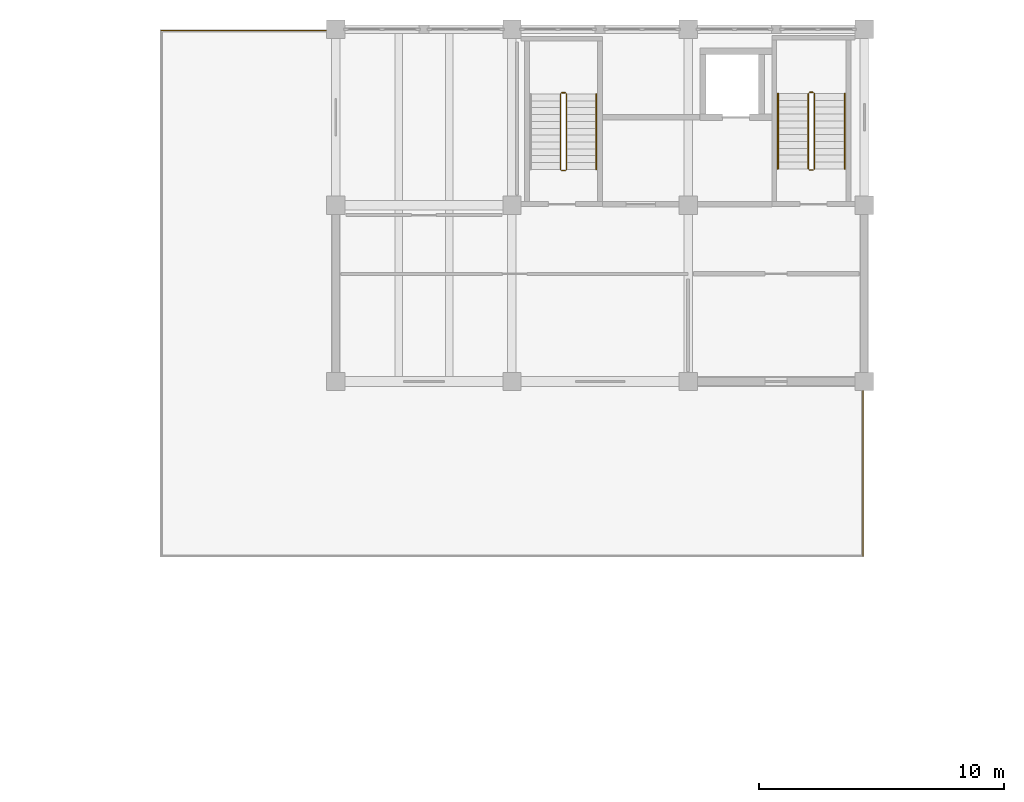
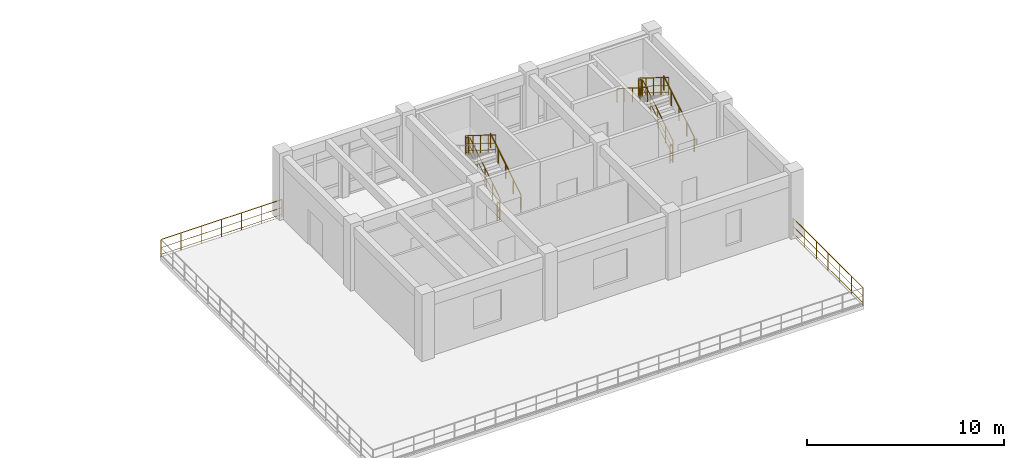
# One storey, part 134 of 136: 13 railings.
"""IFC4 building model written with IfcOpenShell, lengths in metres."""

from ifc_helpers import new_model, si_unit, direction, frame, origin, origin_2d, place, context, subcontext, project, spatial, circle, extrude, material, layer, layer_set, type_object, element, save


model = new_model("IFC4")

# Units and contexts
model_context = context("Model", 3, precision=1e-05, world=origin(), true_north=direction((0.0, 1.0)))
body_context = subcontext(model_context, "Body", "Model", "MODEL_VIEW")
ifc_project = project(units=[si_unit("LENGTHUNIT", "METRE"), si_unit("AREAUNIT", "SQUARE_METRE"), si_unit("VOLUMEUNIT", "CUBIC_METRE"), si_unit("PLANEANGLEUNIT", "RADIAN"), si_unit("MASSUNIT", "GRAM", prefix="KILO")], contexts=[model_context])

# Site, building, storey
site_placement = place(None, origin())
site = spatial("IfcSite", under=ifc_project, at=site_placement, CompositionType="ELEMENT")
building_placement = place(site_placement, origin())
building = spatial("IfcBuilding", under=site, at=building_placement, Name="Koriwan Promenade Central Fire Station", CompositionType="ELEMENT")
storey_placement = place(building_placement, frame((0.0, 0.0, 5.39990234375)))
storey = spatial("IfcBuildingStorey", under=building, at=storey_placement, Name="L01", CompositionType="ELEMENT", Elevation=5.39990234375)

# Railings
ifc_material_1 = material(Name="Steel ASTM A500 Grade C", Category="steel")
ifc_layer_1 = layer(ifc_material_1, 0.050048828125, Name="Steel ASTM A500 Grade C")
ifc_layer_set_1 = layer_set([ifc_layer_1], Name="Steel ASTM A500 Grade C")
railing_type_1 = type_object("IfcRailingType", Name="StairGuard_1100", PredefinedType="BALUSTRADE", material=ifc_layer_set_1)
railing_1_placement = place(storey_placement, frame((98.760009765625, 109.489990234375, 0.175048828125)))
element("IfcRailing", 1, at=railing_1_placement, inside=storey, type_object=railing_type_1, Name="L01 ST04 stair guard 1", PredefinedType="BALUSTRADE", context=body_context, shape_type="SweptSolid", body=[
    extrude(circle(Radius=0.02392578125, at=origin_2d()), frame((0.0, 0.0, 1.076171875), z_axis=(0.0, 0.847998304005, 0.529998940003), x_axis=(-1.0, 0.0, 0.0)), (0.0, 0.0, 1.0), 3.632080078125),
    extrude(circle(Radius=0.012939453125, at=origin_2d()), frame((0.0, 0.0, 0.572021484375), z_axis=(0.0, 0.847998304005, 0.529998940003), x_axis=(-1.0, 0.0, 0.0)), (0.0, 0.0, 1.0), 3.632080078125),
    extrude(circle(Radius=0.012939453125, at=origin_2d()), frame((0.0, 0.0, 0.154052734375), z_axis=(0.0, 0.847998304005, 0.529998940003), x_axis=(-1.0, 0.0, 0.0)), (0.0, 0.0, 1.0), 3.632080078125),
    extrude(circle(Radius=0.02099609375, at=origin_2d()), origin(), (0.0, 0.0, 1.0), 1.052001953125),
    extrude(circle(Radius=0.02099609375, at=origin_2d()), frame((0.0, 0.77001953125, 0.481201171875)), (0.0, 0.0, 1.0), 1.052001953125),
    extrude(circle(Radius=0.02099609375, at=origin_2d()), frame((0.0, 1.5400390625, 0.96240234375)), (0.0, 0.0, 1.0), 1.052001953125),
    extrude(circle(Radius=0.02099609375, at=origin_2d()), frame((0.0, 2.31005859375, 1.44384765625)), (0.0, 0.0, 1.0), 1.052001953125),
    extrude(circle(Radius=0.02099609375, at=origin_2d()), frame((0.0, 3.080078125, 1.925048828125)), (0.0, 0.0, 1.0), 1.052001953125),
])
railing_2_placement = place(storey_placement, frame((98.7099609375, 112.6201171875, 2.10009765625)))
element("IfcRailing", 2, at=railing_2_placement, inside=storey, type_object=railing_type_1, Name="L01 ST04 stair guard 2", PredefinedType="BALUSTRADE", context=body_context, shape_type="SweptSolid", body=[
    extrude(circle(Radius=0.02392578125, at=origin_2d()), frame((0.0, 0.0, 1.076171875), z_axis=(-1.0, 0.0, 0.0), x_axis=(0.0, -1.0, 0.0)), (0.0, 0.0, 1.0), 0.14990234375),
    extrude(circle(Radius=0.012939453125, at=origin_2d()), frame((0.0, 0.0, 0.572021484375), z_axis=(-1.0, 0.0, 0.0), x_axis=(0.0, -1.0, 0.0)), (0.0, 0.0, 1.0), 0.14990234375),
    extrude(circle(Radius=0.012939453125, at=origin_2d()), frame((0.0, 0.0, 0.154052734375), z_axis=(-1.0, 0.0, 0.0), x_axis=(0.0, -1.0, 0.0)), (0.0, 0.0, 1.0), 0.14990234375),
    extrude(circle(Radius=0.02099609375, at=origin_2d()), origin(), (0.0, 0.0, 1.0), 1.052001953125),
    extrude(circle(Radius=0.02099609375, at=origin_2d()), frame((-0.14990234375, 0.0, 0.0)), (0.0, 0.0, 1.0), 1.052001953125),
])
railing_3_placement = place(storey_placement, frame((98.510009765625, 112.570068359375, 2.275146484375)))
element("IfcRailing", 3, at=railing_3_placement, inside=storey, type_object=railing_type_1, Name="L01 ST04 stair guard 3", PredefinedType="BALUSTRADE", context=body_context, shape_type="SweptSolid", body=[
    extrude(circle(Radius=0.02392578125, at=origin_2d()), frame((0.0, 0.0, 1.076171875), z_axis=(0.0, -0.847998304005, 0.529998940003), x_axis=(1.0, 0.0, 0.0)), (0.0, 0.0, 1.0), 3.632080078125),
    extrude(circle(Radius=0.012939453125, at=origin_2d()), frame((0.0, 0.0, 0.572021484375), z_axis=(0.0, -0.847998304005, 0.529998940003), x_axis=(1.0, 0.0, 0.0)), (0.0, 0.0, 1.0), 3.632080078125),
    extrude(circle(Radius=0.012939453125, at=origin_2d()), frame((0.0, 0.0, 0.154052734375), z_axis=(0.0, -0.847998304005, 0.529998940003), x_axis=(1.0, 0.0, 0.0)), (0.0, 0.0, 1.0), 3.632080078125),
    extrude(circle(Radius=0.02099609375, at=origin_2d()), origin(), (0.0, 0.0, 1.0), 1.052001953125),
    extrude(circle(Radius=0.02099609375, at=origin_2d()), frame((0.0, -0.77001953125, 0.481201171875)), (0.0, 0.0, 1.0), 1.052001953125),
    extrude(circle(Radius=0.02099609375, at=origin_2d()), frame((0.0, -1.5400390625, 0.96240234375)), (0.0, 0.0, 1.0), 1.052001953125),
    extrude(circle(Radius=0.02099609375, at=origin_2d()), frame((0.0, -2.31005859375, 1.44384765625)), (0.0, 0.0, 1.0), 1.052001953125),
    extrude(circle(Radius=0.02099609375, at=origin_2d()), frame((0.0, -3.080078125, 1.925048828125)), (0.0, 0.0, 1.0), 1.052001953125),
])
railing_4_placement = place(storey_placement, frame((98.7099609375, 109.43994140625, 0.0)))
element("IfcRailing", 4, at=railing_4_placement, inside=storey, type_object=railing_type_1, Name="L01 ST04 stair guard 4", PredefinedType="BALUSTRADE", context=body_context, shape_type="SweptSolid", body=[
    extrude(circle(Radius=0.02392578125, at=origin_2d()), frame((0.0, 0.0, 1.076171875), z_axis=(-1.0, 0.0, 0.0), x_axis=(0.0, -1.0, 0.0)), (0.0, 0.0, 1.0), 0.14990234375),
    extrude(circle(Radius=0.012939453125, at=origin_2d()), frame((0.0, 0.0, 0.572021484375), z_axis=(-1.0, 0.0, 0.0), x_axis=(0.0, -1.0, 0.0)), (0.0, 0.0, 1.0), 0.14990234375),
    extrude(circle(Radius=0.012939453125, at=origin_2d()), frame((0.0, 0.0, 0.154052734375), z_axis=(-1.0, 0.0, 0.0), x_axis=(0.0, -1.0, 0.0)), (0.0, 0.0, 1.0), 0.14990234375),
    extrude(circle(Radius=0.02099609375, at=origin_2d()), origin(), (0.0, 0.0, 1.0), 1.052001953125),
    extrude(circle(Radius=0.02099609375, at=origin_2d()), frame((-0.14990234375, 0.0, 0.0)), (0.0, 0.0, 1.0), 1.052001953125),
])
railing_5_placement = place(storey_placement, frame((88.6298828125, 109.469970703125, 0.175048828125)))
element("IfcRailing", 5, at=railing_5_placement, inside=storey, type_object=railing_type_1, Name="L01 ST09 stair guard 1", PredefinedType="BALUSTRADE", context=body_context, shape_type="SweptSolid", body=[
    extrude(circle(Radius=0.02392578125, at=origin_2d()), frame((0.0, 0.0, 1.076171875), z_axis=(0.0, 0.847998304005, 0.529998940003), x_axis=(-1.0, 0.0, 0.0)), (0.0, 0.0, 1.0), 3.632080078125),
    extrude(circle(Radius=0.012939453125, at=origin_2d()), frame((0.0, 0.0, 0.572021484375), z_axis=(0.0, 0.847998304005, 0.529998940003), x_axis=(-1.0, 0.0, 0.0)), (0.0, 0.0, 1.0), 3.632080078125),
    extrude(circle(Radius=0.012939453125, at=origin_2d()), frame((0.0, 0.0, 0.154052734375), z_axis=(0.0, 0.847998304005, 0.529998940003), x_axis=(-1.0, 0.0, 0.0)), (0.0, 0.0, 1.0), 3.632080078125),
    extrude(circle(Radius=0.02099609375, at=origin_2d()), origin(), (0.0, 0.0, 1.0), 1.052001953125),
    extrude(circle(Radius=0.02099609375, at=origin_2d()), frame((0.0, 0.77001953125, 0.481201171875)), (0.0, 0.0, 1.0), 1.052001953125),
    extrude(circle(Radius=0.02099609375, at=origin_2d()), frame((0.0, 1.5400390625, 0.96240234375)), (0.0, 0.0, 1.0), 1.052001953125),
    extrude(circle(Radius=0.02099609375, at=origin_2d()), frame((0.0, 2.31005859375, 1.44384765625)), (0.0, 0.0, 1.0), 1.052001953125),
    extrude(circle(Radius=0.02099609375, at=origin_2d()), frame((0.0, 3.080078125, 1.925048828125)), (0.0, 0.0, 1.0), 1.052001953125),
])
railing_6_placement = place(storey_placement, frame((88.580078125, 112.60009765625, 2.10009765625)))
element("IfcRailing", 6, at=railing_6_placement, inside=storey, type_object=railing_type_1, Name="L01 ST09 stair guard 2", PredefinedType="BALUSTRADE", context=body_context, shape_type="SweptSolid", body=[
    extrude(circle(Radius=0.02392578125, at=origin_2d()), frame((0.0, 0.0, 1.076171875), z_axis=(-1.0, 0.0, 0.0), x_axis=(0.0, -1.0, 0.0)), (0.0, 0.0, 1.0), 0.150146484375),
    extrude(circle(Radius=0.012939453125, at=origin_2d()), frame((0.0, 0.0, 0.572021484375), z_axis=(-1.0, 0.0, 0.0), x_axis=(0.0, -1.0, 0.0)), (0.0, 0.0, 1.0), 0.150146484375),
    extrude(circle(Radius=0.012939453125, at=origin_2d()), frame((0.0, 0.0, 0.154052734375), z_axis=(-1.0, 0.0, 0.0), x_axis=(0.0, -1.0, 0.0)), (0.0, 0.0, 1.0), 0.150146484375),
    extrude(circle(Radius=0.02099609375, at=origin_2d()), origin(), (0.0, 0.0, 1.0), 1.052001953125),
    extrude(circle(Radius=0.02099609375, at=origin_2d()), frame((-0.150146484375, 0.0, 0.0)), (0.0, 0.0, 1.0), 1.052001953125),
])
railing_7_placement = place(storey_placement, frame((88.3798828125, 112.550048828125, 2.275146484375)))
element("IfcRailing", 7, at=railing_7_placement, inside=storey, type_object=railing_type_1, Name="L01 ST09 stair guard 3", PredefinedType="BALUSTRADE", context=body_context, shape_type="SweptSolid", body=[
    extrude(circle(Radius=0.02392578125, at=origin_2d()), frame((0.0, 0.0, 1.076171875), z_axis=(0.0, -0.847998304005, 0.529998940003), x_axis=(1.0, 0.0, 0.0)), (0.0, 0.0, 1.0), 3.632080078125),
    extrude(circle(Radius=0.012939453125, at=origin_2d()), frame((0.0, 0.0, 0.572021484375), z_axis=(0.0, -0.847998304005, 0.529998940003), x_axis=(1.0, 0.0, 0.0)), (0.0, 0.0, 1.0), 3.632080078125),
    extrude(circle(Radius=0.012939453125, at=origin_2d()), frame((0.0, 0.0, 0.154052734375), z_axis=(0.0, -0.847998304005, 0.529998940003), x_axis=(1.0, 0.0, 0.0)), (0.0, 0.0, 1.0), 3.632080078125),
    extrude(circle(Radius=0.02099609375, at=origin_2d()), origin(), (0.0, 0.0, 1.0), 1.052001953125),
    extrude(circle(Radius=0.02099609375, at=origin_2d()), frame((0.0, -0.77001953125, 0.481201171875)), (0.0, 0.0, 1.0), 1.052001953125),
    extrude(circle(Radius=0.02099609375, at=origin_2d()), frame((0.0, -1.5400390625, 0.96240234375)), (0.0, 0.0, 1.0), 1.052001953125),
    extrude(circle(Radius=0.02099609375, at=origin_2d()), frame((0.0, -2.31005859375, 1.44384765625)), (0.0, 0.0, 1.0), 1.052001953125),
    extrude(circle(Radius=0.02099609375, at=origin_2d()), frame((0.0, -3.080078125, 1.925048828125)), (0.0, 0.0, 1.0), 1.052001953125),
])
railing_8_placement = place(storey_placement, frame((88.580078125, 109.419921875, 0.0)))
element("IfcRailing", 8, at=railing_8_placement, inside=storey, type_object=railing_type_1, Name="L01 ST09 stair guard 4", PredefinedType="BALUSTRADE", context=body_context, shape_type="SweptSolid", body=[
    extrude(circle(Radius=0.02392578125, at=origin_2d()), frame((0.0, 0.0, 1.076171875), z_axis=(-1.0, 0.0, 0.0), x_axis=(0.0, -1.0, 0.0)), (0.0, 0.0, 1.0), 0.150146484375),
    extrude(circle(Radius=0.012939453125, at=origin_2d()), frame((0.0, 0.0, 0.572021484375), z_axis=(-1.0, 0.0, 0.0), x_axis=(0.0, -1.0, 0.0)), (0.0, 0.0, 1.0), 0.150146484375),
    extrude(circle(Radius=0.012939453125, at=origin_2d()), frame((0.0, 0.0, 0.154052734375), z_axis=(-1.0, 0.0, 0.0), x_axis=(0.0, -1.0, 0.0)), (0.0, 0.0, 1.0), 0.150146484375),
    extrude(circle(Radius=0.02099609375, at=origin_2d()), origin(), (0.0, 0.0, 1.0), 1.052001953125),
    extrude(circle(Radius=0.02099609375, at=origin_2d()), frame((-0.150146484375, 0.0, 0.0)), (0.0, 0.0, 1.0), 1.052001953125),
])
ifc_material_2 = material(Name="Stainless steel 316 tubular handrail", Category="steel")
ifc_layer_2 = layer(ifc_material_2, 0.048095703125, Name="Stainless steel 316 tubular handrail")
ifc_layer_set_2 = layer_set([ifc_layer_2], Name="Stainless steel 316 tubular handrail")
railing_type_2 = type_object("IfcRailingType", Name="StairHandrail_900", PredefinedType="HANDRAIL", material=ifc_layer_set_2)
railing_9_placement = place(storey_placement, frame((100.0, 109.489990234375, 0.175048828125)))
element("IfcRailing", 9, at=railing_9_placement, inside=storey, type_object=railing_type_2, Name="L01 ST04 stair handrail 1", PredefinedType="HANDRAIL", context=body_context, shape_type="SweptSolid", body=[
    extrude(circle(Radius=0.02392578125, at=origin_2d()), frame((0.0, 0.0, 0.8759765625), z_axis=(0.0, 0.847998304005, 0.529998940003), x_axis=(-1.0, 0.0, 0.0)), (0.0, 0.0, 1.0), 3.632080078125),
    extrude(circle(Radius=0.02099609375, at=origin_2d()), origin(), (0.0, 0.0, 1.0), 0.851806640625),
    extrude(circle(Radius=0.02099609375, at=origin_2d()), frame((0.0, 0.77001953125, 0.481201171875)), (0.0, 0.0, 1.0), 0.851806640625),
    extrude(circle(Radius=0.02099609375, at=origin_2d()), frame((0.0, 1.5400390625, 0.96240234375)), (0.0, 0.0, 1.0), 0.851806640625),
    extrude(circle(Radius=0.02099609375, at=origin_2d()), frame((0.0, 2.31005859375, 1.44384765625)), (0.0, 0.0, 1.0), 0.851806640625),
    extrude(circle(Radius=0.02099609375, at=origin_2d()), frame((0.0, 3.080078125, 1.925048828125)), (0.0, 0.0, 1.0), 0.851806640625),
])
railing_10_placement = place(storey_placement, frame((97.27001953125, 112.570068359375, 2.275146484375)))
element("IfcRailing", 10, at=railing_10_placement, inside=storey, type_object=railing_type_2, Name="L01 ST04 stair handrail 2", PredefinedType="HANDRAIL", context=body_context, shape_type="SweptSolid", body=[
    extrude(circle(Radius=0.02392578125, at=origin_2d()), frame((0.0, 0.0, 0.8759765625), z_axis=(0.0, -0.847998304005, 0.529998940003), x_axis=(1.0, 0.0, 0.0)), (0.0, 0.0, 1.0), 3.632080078125),
    extrude(circle(Radius=0.02099609375, at=origin_2d()), origin(), (0.0, 0.0, 1.0), 0.851806640625),
    extrude(circle(Radius=0.02099609375, at=origin_2d()), frame((0.0, -0.77001953125, 0.481201171875)), (0.0, 0.0, 1.0), 0.851806640625),
    extrude(circle(Radius=0.02099609375, at=origin_2d()), frame((0.0, -1.5400390625, 0.96240234375)), (0.0, 0.0, 1.0), 0.851806640625),
    extrude(circle(Radius=0.02099609375, at=origin_2d()), frame((0.0, -2.31005859375, 1.44384765625)), (0.0, 0.0, 1.0), 0.851806640625),
    extrude(circle(Radius=0.02099609375, at=origin_2d()), frame((0.0, -3.080078125, 1.925048828125)), (0.0, 0.0, 1.0), 0.851806640625),
])
railing_11_placement = place(storey_placement, frame((89.85009765625, 109.469970703125, 0.175048828125)))
element("IfcRailing", 11, at=railing_11_placement, inside=storey, type_object=railing_type_2, Name="L01 ST09 stair handrail 1", PredefinedType="HANDRAIL", context=body_context, shape_type="SweptSolid", body=[
    extrude(circle(Radius=0.02392578125, at=origin_2d()), frame((0.0, 0.0, 0.8759765625), z_axis=(0.0, 0.847998304005, 0.529998940003), x_axis=(-1.0, 0.0, 0.0)), (0.0, 0.0, 1.0), 3.632080078125),
    extrude(circle(Radius=0.02099609375, at=origin_2d()), origin(), (0.0, 0.0, 1.0), 0.851806640625),
    extrude(circle(Radius=0.02099609375, at=origin_2d()), frame((0.0, 0.77001953125, 0.481201171875)), (0.0, 0.0, 1.0), 0.851806640625),
    extrude(circle(Radius=0.02099609375, at=origin_2d()), frame((0.0, 1.5400390625, 0.96240234375)), (0.0, 0.0, 1.0), 0.851806640625),
    extrude(circle(Radius=0.02099609375, at=origin_2d()), frame((0.0, 2.31005859375, 1.44384765625)), (0.0, 0.0, 1.0), 0.851806640625),
    extrude(circle(Radius=0.02099609375, at=origin_2d()), frame((0.0, 3.080078125, 1.925048828125)), (0.0, 0.0, 1.0), 0.851806640625),
])
ifc_layer_3 = layer(ifc_material_1, 0.06005859375, Name="Steel ASTM A500 Grade C")
ifc_layer_set_3 = layer_set([ifc_layer_3], Name="Steel ASTM A500 Grade C")
railing_type_3 = type_object("IfcRailingType", Name="TerraceGuard_1100", PredefinedType="BALUSTRADE", material=ifc_layer_set_3)
railing_12_placement = place(storey_placement, frame((100.739990234375, 100.739990234375, 0.0)))
element("IfcRailing", 12, at=railing_12_placement, inside=storey, type_object=railing_type_3, Name="Drill Yard Training Deck protective balustrade 001", PredefinedType="BALUSTRADE", context=body_context, shape_type="SweptSolid", body=[
    extrude(circle(Radius=0.02392578125, at=origin_2d()), frame((0.0, 0.0, 1.076171875), z_axis=(0.0, -1.0, 0.0), x_axis=(1.0, 0.0, 0.0)), (0.0, 0.0, 1.0), 7.080078125),
    extrude(circle(Radius=0.012939453125, at=origin_2d()), frame((0.0, 0.0, 0.572021484375), z_axis=(0.0, -1.0, 0.0), x_axis=(1.0, 0.0, 0.0)), (0.0, 0.0, 1.0), 7.080078125),
    extrude(circle(Radius=0.012939453125, at=origin_2d()), frame((0.0, 0.0, 0.154052734375), z_axis=(0.0, -1.0, 0.0), x_axis=(1.0, 0.0, 0.0)), (0.0, 0.0, 1.0), 7.080078125),
    extrude(circle(Radius=0.02099609375, at=origin_2d()), origin(), (0.0, 0.0, 1.0), 1.052001953125),
    extrude(circle(Radius=0.02099609375, at=origin_2d()), frame((0.0, -1.179931640625, 0.0)), (0.0, 0.0, 1.0), 1.052001953125),
    extrude(circle(Radius=0.02099609375, at=origin_2d()), frame((0.0, -2.360107421875, 0.0)), (0.0, 0.0, 1.0), 1.052001953125),
    extrude(circle(Radius=0.02099609375, at=origin_2d()), frame((0.0, -3.5400390625, 0.0)), (0.0, 0.0, 1.0), 1.052001953125),
    extrude(circle(Radius=0.02099609375, at=origin_2d()), frame((0.0, -4.719970703125, 0.0)), (0.0, 0.0, 1.0), 1.052001953125),
    extrude(circle(Radius=0.02099609375, at=origin_2d()), frame((0.0, -5.900146484375, 0.0)), (0.0, 0.0, 1.0), 1.052001953125),
    extrude(circle(Radius=0.02099609375, at=origin_2d()), frame((0.0, -7.080078125, 0.0)), (0.0, 0.0, 1.0), 1.052001953125),
])
railing_13_placement = place(storey_placement, frame((72.06005859375, 115.139892578125, 0.0)))
element("IfcRailing", 13, at=railing_13_placement, inside=storey, type_object=railing_type_3, Name="Drill Yard Training Deck protective balustrade 004", PredefinedType="BALUSTRADE", context=body_context, shape_type="SweptSolid", body=[
    extrude(circle(Radius=0.02392578125, at=origin_2d()), frame((0.0, 0.0, 1.076171875), z_axis=(1.0, 0.0, 0.0), x_axis=(0.0, 1.0, 0.0)), (0.0, 0.0, 1.0), 7.079833984375),
    extrude(circle(Radius=0.012939453125, at=origin_2d()), frame((0.0, 0.0, 0.572021484375), z_axis=(1.0, 0.0, 0.0), x_axis=(0.0, 1.0, 0.0)), (0.0, 0.0, 1.0), 7.079833984375),
    extrude(circle(Radius=0.012939453125, at=origin_2d()), frame((0.0, 0.0, 0.154052734375), z_axis=(1.0, 0.0, 0.0), x_axis=(0.0, 1.0, 0.0)), (0.0, 0.0, 1.0), 7.079833984375),
    extrude(circle(Radius=0.02099609375, at=origin_2d()), origin(), (0.0, 0.0, 1.0), 1.052001953125),
    extrude(circle(Radius=0.02099609375, at=origin_2d()), frame((1.179931640625, 0.0, 0.0)), (0.0, 0.0, 1.0), 1.052001953125),
    extrude(circle(Radius=0.02099609375, at=origin_2d()), frame((2.35986328125, 0.0, 0.0)), (0.0, 0.0, 1.0), 1.052001953125),
    extrude(circle(Radius=0.02099609375, at=origin_2d()), frame((3.5400390625, 0.0, 0.0)), (0.0, 0.0, 1.0), 1.052001953125),
    extrude(circle(Radius=0.02099609375, at=origin_2d()), frame((4.719970703125, 0.0, 0.0)), (0.0, 0.0, 1.0), 1.052001953125),
    extrude(circle(Radius=0.02099609375, at=origin_2d()), frame((5.89990234375, 0.0, 0.0)), (0.0, 0.0, 1.0), 1.052001953125),
    extrude(circle(Radius=0.02099609375, at=origin_2d()), frame((7.079833984375, 0.0, 0.0)), (0.0, 0.0, 1.0), 1.052001953125),
])

save(model, "model.ifc")
